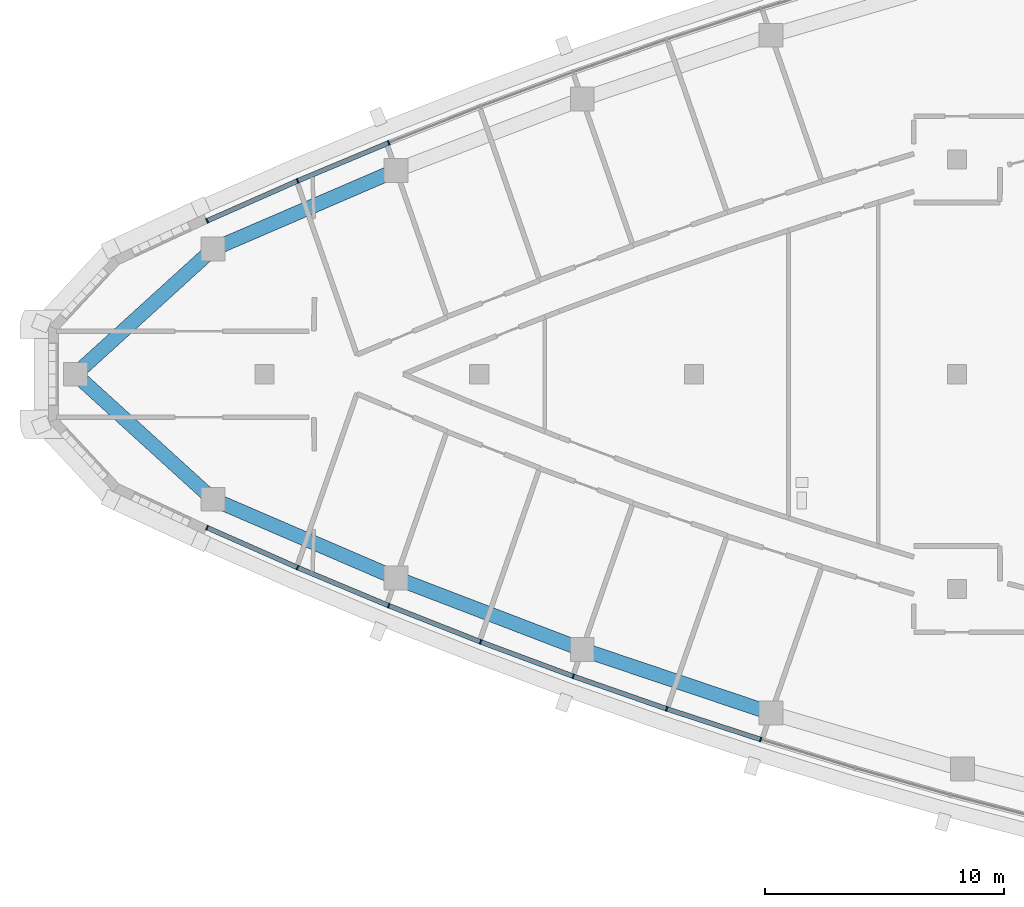
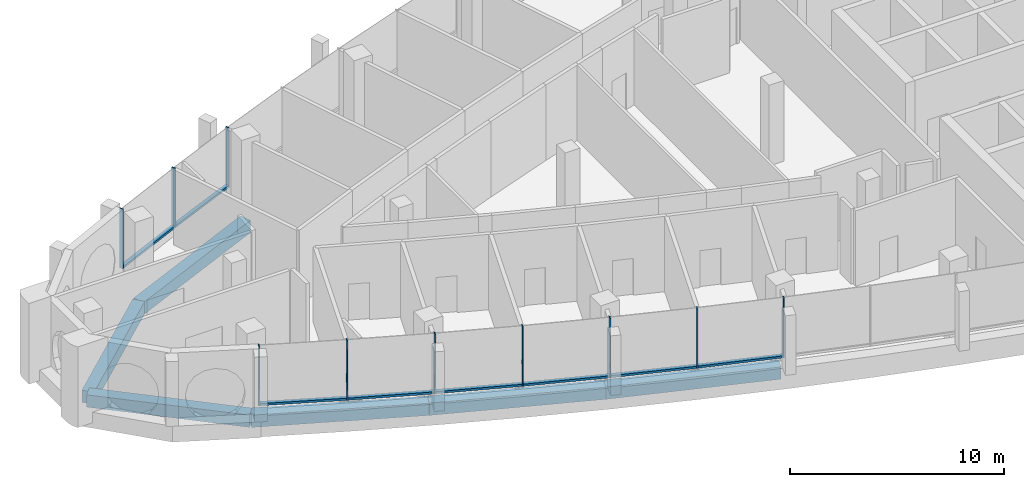
# One storey, part 2 of 15: 18 members, 6 beams, 5 elements without a shape of their own.
"""IFC4 building model written with IfcOpenShell, lengths in metres."""

from ifc_helpers import new_model, si_unit, direction, frame, origin, origin_2d, place, context, subcontext, project, spatial, rectangle, extrude, material, layer, layer_set, material_profile, profile_set, type_object, element, aggregate, save


model = new_model("IFC4")

# Units and contexts
model_context = context("Model", 3, precision=1e-05, world=origin(), true_north=direction((0.0, 1.0)))
body_context = subcontext(model_context, "Body", "Model", "MODEL_VIEW")
ifc_project = project(units=[si_unit("LENGTHUNIT", "METRE"), si_unit("AREAUNIT", "SQUARE_METRE"), si_unit("VOLUMEUNIT", "CUBIC_METRE"), si_unit("PLANEANGLEUNIT", "RADIAN"), si_unit("MASSUNIT", "GRAM", prefix="KILO")], contexts=[model_context])

# Site, building, storey
site_placement = place(None, origin())
site = spatial("IfcSite", under=ifc_project, at=site_placement, CompositionType="ELEMENT")
building_placement = place(site_placement, origin())
building = spatial("IfcBuilding", under=site, at=building_placement, Name="Ostrand Prow Hotel Tower", CompositionType="ELEMENT")
storey_placement = place(building_placement, frame((0.0, 0.0, 308.60009765625)))
storey = spatial("IfcBuildingStorey", under=building, at=storey_placement, Name="C1", CompositionType="ELEMENT", Elevation=308.60009765625)

# Beams
ifc_material_1 = material(Name="Concrete C40/50", Category="concrete")
ifc_material_profile_1 = material_profile(ifc_material_1, rectangle(XDim=0.60009765625, YDim=0.699951171875, at=origin_2d()), Name="RC 600x700")
ifc_profile_set_1 = profile_set([ifc_material_profile_1], Name="Concrete C40/50")
beam_type = type_object("IfcBeamType", Name="Edge beam 600x700 C40/50", PredefinedType="SPANDREL", material=ifc_profile_set_1)
beam_1_placement = place(storey_placement, frame((8.082763671875, 0.0, -0.650146484375), z_axis=(0.740124460758, -0.672469912032, 0.0), x_axis=(0.672469912032, 0.740124460758, 0.0)))
element("IfcBeam", 1, at=beam_1_placement, inside=storey, type_object=beam_type, Name="Edge beam P-S1", PredefinedType="SPANDREL", context=body_context, shape_type="SweptSolid", body=[
    extrude(rectangle(XDim=0.60009765625, YDim=0.699951171875, at=origin_2d()), origin(), (0.0, 0.0, 1.0), 7.787353515625),
])
for number, where, z_axis, x_axis, name in (
    (2, (13.846435546875, -5.23681640625, -0.650146484375), (0.918403788687, -0.39564438695, 0.0), (0.39564438695, 0.918403788687, 0.0), "Edge beam S1-S2"),
    (3, (21.51416015625, -8.5400390625, -0.650146484375), (0.933761753797, -0.357895218111, 0.0), (0.357895218111, 0.933761753797, 0.0), "Edge beam S2-S3"),
    (4, (29.31005859375, -11.528076171875, -0.650146484375), (0.947575089419, -0.319533174981, 0.0), (0.319533174981, 0.947575089419, 0.0), "Edge beam S3-S4"),
    (5, (21.51416015625, 8.5400390625, -0.650146484375), (-0.918403788687, -0.39564438695, 0.0), (0.39564438695, -0.918403788687, 0.0), "Edge beam N5-N6"),
):
    element("IfcBeam", number, at=place(storey_placement, frame(where, z_axis=z_axis, x_axis=x_axis)), inside=storey, type_object=beam_type, Name=name, PredefinedType="SPANDREL", context=body_context, shape_type="SweptSolid", body=[
        extrude(rectangle(XDim=0.60009765625, YDim=0.699951171875, at=origin_2d()), origin(), (0.0, 0.0, 1.0), 8.348876953125),
    ])
beam_2_placement = place(storey_placement, frame((13.846435546875, 5.23681640625, -0.650146484375), z_axis=(-0.740124460758, -0.672469912032, 0.0), x_axis=(0.672469912032, -0.740124460758, 0.0)))
element("IfcBeam", 6, at=beam_2_placement, inside=storey, type_object=beam_type, Name="Edge beam N6-P", PredefinedType="SPANDREL", context=body_context, shape_type="SweptSolid", body=[
    extrude(rectangle(XDim=0.60009765625, YDim=0.699951171875, at=origin_2d()), origin(), (0.0, 0.0, 1.0), 7.787353515625),
])

# Curtain wall, members
ifc_material_2 = material(Name="Insulated glass in bronze anodised frame", Category="glass")
ifc_layer = layer(ifc_material_2, 0.199951171875)
ifc_layer_set = layer_set([ifc_layer], Name="Insulated glass in bronze anodised frame")
curtain_wall_type = type_object("IfcCurtainWallType", Name="Observation and restaurant glazing wall", PredefinedType="NOTDEFINED", material=ifc_layer_set)
curtain_wall_1_placement = place(storey_placement, origin())
curtain_wall_1 = element("IfcCurtainWall", 7, at=curtain_wall_1_placement, inside=storey, type_object=curtain_wall_type, Name="CW6 run CWS1", PredefinedType="NOTDEFINED")
ifc_material_3 = material(Name="Bronze anodised aluminium", Category="aluminium")
ifc_material_profile_2 = material_profile(ifc_material_3, rectangle(XDim=0.199951171875, YDim=0.06005859375, at=origin_2d()), Name="Mullion 60x200 bronze anodised aluminium")
ifc_profile_set_2 = profile_set([ifc_material_profile_2], Name="Bronze anodised aluminium")
member_type_1 = type_object("IfcMemberType", Name="Mullion 60x200 bronze anodised aluminium", PredefinedType="MULLION", material=ifc_profile_set_2)
member_1_placement = place(storey_placement, frame((13.60009765625, -6.423583984375, 0.89990234375), z_axis=(0.0, 0.0, 1.0), x_axis=(0.403939694592, 0.914785615941, 0.0)))
member_1 = element("IfcMember", 8, at=member_1_placement, type_object=member_type_1, Name="CW6 mullion 1", PredefinedType="MULLION", context=body_context, shape_type="SweptSolid", body=[
    extrude(rectangle(XDim=0.199951171875, YDim=0.06005859375, at=origin_2d()), origin(), (0.0, 0.0, 1.0), 3.39990234375),
])
member_2_placement = place(storey_placement, frame((17.386962890625, -8.095947265625, 0.89990234375), z_axis=(0.0, 0.0, 1.0), x_axis=(0.385471263659, 0.922719840955, 0.0)))
member_2 = element("IfcMember", 9, at=member_2_placement, type_object=member_type_1, Name="CW6 mullion 2", PredefinedType="MULLION", context=body_context, shape_type="SweptSolid", body=[
    extrude(rectangle(XDim=0.199951171875, YDim=0.06005859375, at=origin_2d()), origin(), (0.0, 0.0, 1.0), 3.39990234375),
])
member_3_placement = place(storey_placement, frame((21.206787109375, -9.691650390625, 0.89990234375), z_axis=(0.0, 0.0, 1.0), x_axis=(0.385471263659, 0.922719840955, 0.0)))
member_3 = element("IfcMember", 10, at=member_3_placement, type_object=member_type_1, Name="CW6 mullion 3", PredefinedType="MULLION", context=body_context, shape_type="SweptSolid", body=[
    extrude(rectangle(XDim=0.199951171875, YDim=0.06005859375, at=origin_2d()), origin(), (0.0, 0.0, 1.0), 3.39990234375),
])

curtain_wall_2_placement = place(storey_placement, origin())
curtain_wall_2 = element("IfcCurtainWall", 11, at=curtain_wall_2_placement, inside=storey, type_object=curtain_wall_type, Name="CW6 run CWS2", PredefinedType="NOTDEFINED")
member_4_placement = place(storey_placement, frame((25.05810546875, -11.210205078125, 0.89990234375), z_axis=(0.0, 0.0, 1.0), x_axis=(0.348071422738, 0.937468017947, 0.0)))
member_4 = element("IfcMember", 12, at=member_4_placement, type_object=member_type_1, Name="CW6 mullion 2", PredefinedType="MULLION", context=body_context, shape_type="SweptSolid", body=[
    extrude(rectangle(XDim=0.199951171875, YDim=0.06005859375, at=origin_2d()), origin(), (0.0, 0.0, 1.0), 3.39990234375),
])
member_5_placement = place(storey_placement, frame((28.93896484375, -12.6513671875, 0.89990234375), z_axis=(0.0, 0.0, 1.0), x_axis=(0.348071422738, 0.937468017947, 0.0)))
member_5 = element("IfcMember", 13, at=member_5_placement, type_object=member_type_1, Name="CW6 mullion 3", PredefinedType="MULLION", context=body_context, shape_type="SweptSolid", body=[
    extrude(rectangle(XDim=0.199951171875, YDim=0.06005859375, at=origin_2d()), origin(), (0.0, 0.0, 1.0), 3.39990234375),
])

curtain_wall_3_placement = place(storey_placement, origin())
curtain_wall_3 = element("IfcCurtainWall", 14, at=curtain_wall_3_placement, inside=storey, type_object=curtain_wall_type, Name="CW6 run CWS3", PredefinedType="NOTDEFINED")
member_6_placement = place(storey_placement, frame((32.84814453125, -14.013916015625, 0.89990234375), z_axis=(0.0, 0.0, 1.0), x_axis=(0.310110668289, 0.950700464612, 0.0)))
member_6 = element("IfcMember", 15, at=member_6_placement, type_object=member_type_1, Name="CW6 mullion 2", PredefinedType="MULLION", context=body_context, shape_type="SweptSolid", body=[
    extrude(rectangle(XDim=0.199951171875, YDim=0.06005859375, at=origin_2d()), origin(), (0.0, 0.0, 1.0), 3.39990234375),
])
member_7_placement = place(storey_placement, frame((36.78369140625, -15.297607421875, 0.89990234375), z_axis=(0.0, 0.0, 1.0), x_axis=(0.310110668289, 0.950700464612, 0.0)))
member_7 = element("IfcMember", 16, at=member_7_placement, type_object=member_type_1, Name="CW6 mullion 3", PredefinedType="MULLION", context=body_context, shape_type="SweptSolid", body=[
    extrude(rectangle(XDim=0.199951171875, YDim=0.06005859375, at=origin_2d()), origin(), (0.0, 0.0, 1.0), 3.39990234375),
])

# Curtain wall, member
curtain_wall_4_placement = place(storey_placement, origin())
curtain_wall_4 = element("IfcCurtainWall", 17, at=curtain_wall_4_placement, inside=storey, type_object=curtain_wall_type, Name="CW6 run CWN4", PredefinedType="NOTDEFINED")
member_8_placement = place(storey_placement, frame((21.206787109375, 9.691650390625, 0.89990234375), z_axis=(0.0, 0.0, 1.0), x_axis=(0.366845465248, -0.930281895249, 0.0)))
member_8 = element("IfcMember", 18, at=member_8_placement, type_object=member_type_1, Name="CW6 mullion 3", PredefinedType="MULLION", context=body_context, shape_type="SweptSolid", body=[
    extrude(rectangle(XDim=0.199951171875, YDim=0.06005859375, at=origin_2d()), origin(), (0.0, 0.0, 1.0), 3.39990234375),
])
aggregate(curtain_wall_4, [member_8])

# Curtain wall, members
curtain_wall_5_placement = place(storey_placement, origin())
curtain_wall_5 = element("IfcCurtainWall", 19, at=curtain_wall_5_placement, inside=storey, type_object=curtain_wall_type, Name="CW6 run CWN5", PredefinedType="NOTDEFINED")
member_9_placement = place(storey_placement, frame((17.386962890625, 8.095947265625, 0.89990234375), z_axis=(0.0, 0.0, 1.0), x_axis=(0.403939694592, -0.914785615941, 0.0)))
member_9 = element("IfcMember", 20, at=member_9_placement, type_object=member_type_1, Name="CW6 mullion 2", PredefinedType="MULLION", context=body_context, shape_type="SweptSolid", body=[
    extrude(rectangle(XDim=0.199951171875, YDim=0.06005859375, at=origin_2d()), origin(), (0.0, 0.0, 1.0), 3.39990234375),
])
member_10_placement = place(storey_placement, frame((13.60009765625, 6.423583984375, 0.89990234375), z_axis=(0.0, 0.0, 1.0), x_axis=(0.403939694592, -0.914785615941, 0.0)))
member_10 = element("IfcMember", 21, at=member_10_placement, type_object=member_type_1, Name="CW6 mullion 3", PredefinedType="MULLION", context=body_context, shape_type="SweptSolid", body=[
    extrude(rectangle(XDim=0.199951171875, YDim=0.06005859375, at=origin_2d()), origin(), (0.0, 0.0, 1.0), 3.39990234375),
])

# Member
ifc_material_4 = material(Name="Bronze anodised aluminium", Category="aluminium")
ifc_material_profile_3 = material_profile(ifc_material_4, rectangle(XDim=0.199951171875, YDim=0.1201171875, at=origin_2d()), Name="Transom 120x200 bronze anodised aluminium")
ifc_profile_set_3 = profile_set([ifc_material_profile_3], Name="Bronze anodised aluminium")
member_type_2 = type_object("IfcMemberType", Name="Transom 120x200 bronze anodised aluminium", PredefinedType="USERDEFINED", material=ifc_profile_set_3)
member_11_placement = place(storey_placement, frame((13.62744140625, -6.435791015625, 0.9599609375), z_axis=(0.914791011182, -0.403927475991, 0.0), x_axis=(0.403927475991, 0.914791011182, 0.0)))
member_11 = element("IfcMember", 22, at=member_11_placement, type_object=member_type_2, Name="CW6 transom 1.1", ObjectType="TRANSOM", PredefinedType="USERDEFINED", context=body_context, shape_type="SweptSolid", body=[
    extrude(rectangle(XDim=0.199951171875, YDim=0.1201171875, at=origin_2d()), origin(), (0.0, 0.0, 1.0), 4.079833984375),
])

member_12_placement = place(storey_placement, frame((17.414794921875, -8.107421875, 0.9599609375), z_axis=(0.922706465875, -0.385503278628, 0.0), x_axis=(0.385503278628, 0.922706465875, 0.0)))
member_12 = element("IfcMember", 23, at=member_12_placement, type_object=member_type_2, Name="CW6 transom 2.1", ObjectType="TRANSOM", PredefinedType="USERDEFINED", context=body_context, shape_type="SweptSolid", body=[
    extrude(rectangle(XDim=0.199951171875, YDim=0.1201171875, at=origin_2d()), origin(), (0.0, 0.0, 1.0), 4.079833984375),
])

aggregate(curtain_wall_1, [member_1, member_2, member_3, member_11, member_12])

member_13_placement = place(storey_placement, frame((21.23486328125, -9.70263671875, 0.9599609375), z_axis=(0.930289613186, -0.366825892759, 0.0), x_axis=(0.366825892759, 0.930289613186, 0.0)))
member_13 = element("IfcMember", 24, at=member_13_placement, type_object=member_type_2, Name="CW6 transom 1.1", ObjectType="TRANSOM", PredefinedType="USERDEFINED", context=body_context, shape_type="SweptSolid", body=[
    extrude(rectangle(XDim=0.199951171875, YDim=0.1201171875, at=origin_2d()), origin(), (0.0, 0.0, 1.0), 4.079833984375),
])

member_14_placement = place(storey_placement, frame((25.086181640625, -11.220703125, 0.9599609375), z_axis=(0.937460424566, -0.348091873465, 0.0), x_axis=(0.348091873465, 0.937460424566, 0.0)))
member_14 = element("IfcMember", 25, at=member_14_placement, type_object=member_type_2, Name="CW6 transom 2.1", ObjectType="TRANSOM", PredefinedType="USERDEFINED", context=body_context, shape_type="SweptSolid", body=[
    extrude(rectangle(XDim=0.199951171875, YDim=0.1201171875, at=origin_2d()), origin(), (0.0, 0.0, 1.0), 4.079833984375),
])

aggregate(curtain_wall_2, [member_4, member_5, member_13, member_14])

member_15_placement = place(storey_placement, frame((28.96728515625, -12.6611328125, 0.9599609375), z_axis=(0.944268108385, -0.329177367822, 0.0), x_axis=(0.329177367822, 0.944268108385, 0.0)))
member_15 = element("IfcMember", 26, at=member_15_placement, type_object=member_type_2, Name="CW6 transom 1.1", ObjectType="TRANSOM", PredefinedType="USERDEFINED", context=body_context, shape_type="SweptSolid", body=[
    extrude(rectangle(XDim=0.199951171875, YDim=0.1201171875, at=origin_2d()), origin(), (0.0, 0.0, 1.0), 4.079833984375),
])

member_16_placement = place(storey_placement, frame((32.876708984375, -14.023193359375, 0.9599609375), z_axis=(0.950704145978, -0.310099382165, 0.0), x_axis=(0.310099382165, 0.950704145978, 0.0)))
member_16 = element("IfcMember", 27, at=member_16_placement, type_object=member_type_2, Name="CW6 transom 2.1", ObjectType="TRANSOM", PredefinedType="USERDEFINED", context=body_context, shape_type="SweptSolid", body=[
    extrude(rectangle(XDim=0.199951171875, YDim=0.1201171875, at=origin_2d()), origin(), (0.0, 0.0, 1.0), 4.079833984375),
])

aggregate(curtain_wall_3, [member_6, member_7, member_15, member_16])

member_17_placement = place(storey_placement, frame((21.17919921875, 9.68017578125, 0.9599609375), z_axis=(-0.922706465875, -0.385503278628, 0.0), x_axis=(0.385503278628, -0.922706465875, 0.0)))
member_17 = element("IfcMember", 28, at=member_17_placement, type_object=member_type_2, Name="CW6 transom 1.1", ObjectType="TRANSOM", PredefinedType="USERDEFINED", context=body_context, shape_type="SweptSolid", body=[
    extrude(rectangle(XDim=0.199951171875, YDim=0.1201171875, at=origin_2d()), origin(), (0.0, 0.0, 1.0), 4.079833984375),
])

member_18_placement = place(storey_placement, frame((17.359619140625, 8.083740234375, 0.9599609375), z_axis=(-0.914791011182, -0.403927475991, 0.0), x_axis=(0.403927475991, -0.914791011182, 0.0)))
member_18 = element("IfcMember", 29, at=member_18_placement, type_object=member_type_2, Name="CW6 transom 2.1", ObjectType="TRANSOM", PredefinedType="USERDEFINED", context=body_context, shape_type="SweptSolid", body=[
    extrude(rectangle(XDim=0.199951171875, YDim=0.1201171875, at=origin_2d()), origin(), (0.0, 0.0, 1.0), 4.079833984375),
])

aggregate(curtain_wall_5, [member_9, member_10, member_17, member_18])

save(model, "model.ifc")
